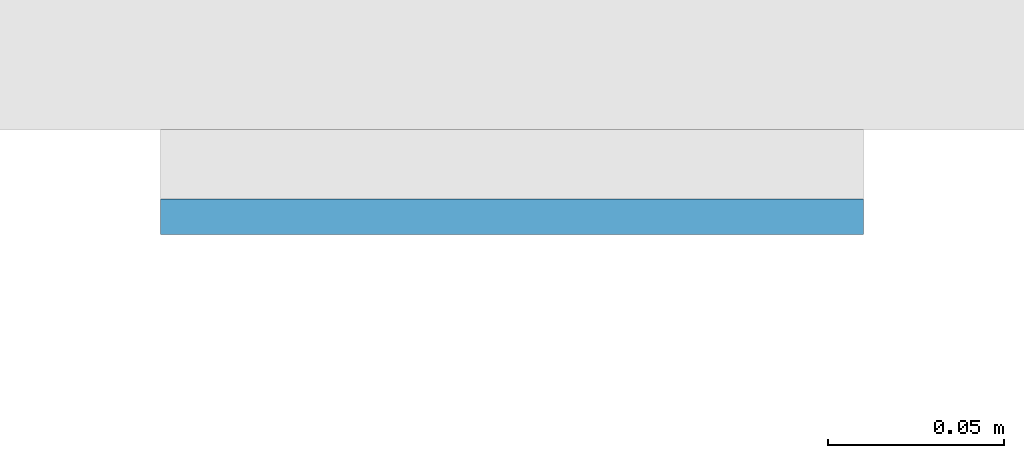
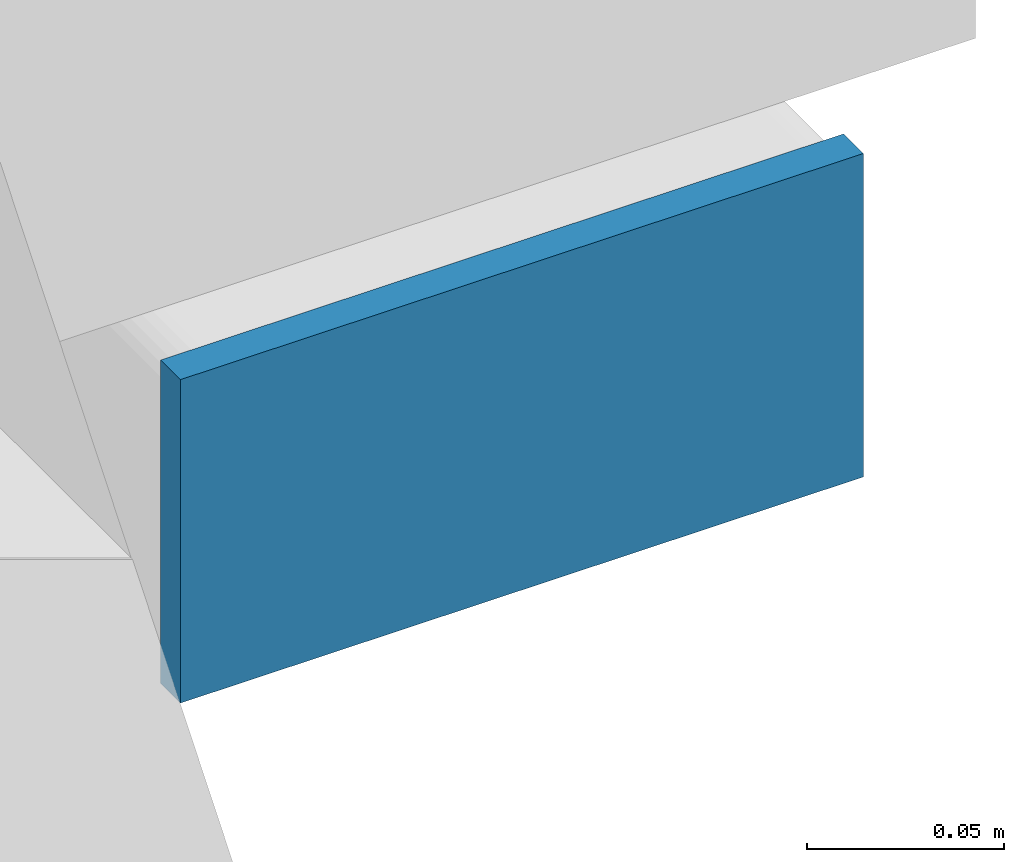
# One storey, part 10 of 20: 1 plate.
"""IFC4 building model written with IfcOpenShell, lengths in metres."""

import ifcopenshell
import ifcopenshell.guid

model = None  # the IFC model being written
_history = None  # IfcOwnerHistory: only IFC2X3 demands one
_inside = {}  # id of a spatial element -> (the spatial element, [elements in it])
_under = {}  # id of a project, library or spatial element -> (it, [spatial elements below it])
_declared = {}  # id of a project -> (the project, [libraries it declares])
_typed = {}  # id of a type object -> (the type object, [elements of that type])
_made_of = {}  # id of a material, layer set ... -> (it, [elements and type objects made of it])


def new_model(schema):
    """Start an empty IFC model of exactly this schema.

    Asked for "IFC4X3", IfcOpenShell would pick the latest addendum, in which some entities
    have other attributes; the version numbers below select the first issue.
    IFC2X3 requires an IfcOwnerHistory on every rooted entity: one is made here for all.
    """
    global model, _history
    if schema == "IFC4X3":
        model = ifcopenshell.file(schema_version=(4, 3, 0, 0))
    else:
        model = ifcopenshell.file(schema=schema)
    _inside.clear()
    _under.clear()
    _declared.clear()
    _typed.clear()
    _made_of.clear()
    _history = None
    if model.schema == "IFC2X3":
        org = make("IfcOrganization", Name="unknown")
        user = make(
            "IfcPersonAndOrganization",
            ThePerson=make("IfcPerson", FamilyName="unknown"),
            TheOrganization=org,
        )
        app = make(
            "IfcApplication",
            ApplicationDeveloper=org,
            Version="unknown",
            ApplicationFullName="unknown",
            ApplicationIdentifier="unknown",
        )
        _history = make(
            "IfcOwnerHistory",
            OwningUser=user,
            OwningApplication=app,
            ChangeAction="ADDED",
            CreationDate=0,
        )
    return model


def make(cls, **values):
    """One entity of the class cls with the attributes given. An attribute that is None is left unset."""
    return model.create_entity(
        cls, **{name: value for name, value in values.items() if value is not None}
    )


def rooted(cls, **values):
    """An entity with a GlobalId (a new one), such as an element, a storey or a relation."""
    return make(cls, GlobalId=ifcopenshell.guid.new(), OwnerHistory=_history, **values)


def si_unit(unit_type, name, prefix=None):
    """IfcSIUnit, for example si_unit("LENGTHUNIT", "METRE", prefix="MILLI")."""
    return make("IfcSIUnit", UnitType=unit_type, Prefix=prefix, Name=name)


def assignment(units):
    """IfcUnitAssignment: the units of a project."""
    return None if units is None else make("IfcUnitAssignment", Units=units)


def point(xyz):
    """IfcCartesianPoint."""
    return None if xyz is None else make("IfcCartesianPoint", Coordinates=xyz)


def direction(xyz):
    """IfcDirection."""
    return None if xyz is None else make("IfcDirection", DirectionRatios=xyz)


def frame(location, z_axis=None, x_axis=None):
    """IfcAxis2Placement3D, a coordinate frame: its origin and axes. An axis left out is left unset."""
    return make(
        "IfcAxis2Placement3D",
        Location=point(location),
        Axis=direction(z_axis),
        RefDirection=direction(x_axis),
    )


def frame_2d(location, x_axis=None):
    """IfcAxis2Placement2D, a coordinate frame in the plane: its origin and x axis."""
    return make(
        "IfcAxis2Placement2D", Location=point(location), RefDirection=direction(x_axis)
    )


def origin():
    """The frame at (0, 0, 0) with its axes left unset."""
    return frame((0.0, 0.0, 0.0))


def origin_2d():
    """The frame at (0, 0) in the plane with its x axis left unset."""
    return frame_2d((0.0, 0.0))


def place(relative_to, where):
    """IfcLocalPlacement: puts the frame where relative to a parent placement (None: the world)."""
    return make(
        "IfcLocalPlacement", PlacementRelTo=relative_to, RelativePlacement=where
    )


def context(
    kind, dimensions, precision=None, world=None, true_north=None, identifier=None
):
    """IfcGeometricRepresentationContext, for example the 3D "Model" context."""
    return make(
        "IfcGeometricRepresentationContext",
        ContextIdentifier=identifier,
        ContextType=kind,
        CoordinateSpaceDimension=dimensions,
        Precision=precision,
        WorldCoordinateSystem=world,
        TrueNorth=true_north,
    )


def subcontext(parent, identifier, kind, view, scale=None):
    """IfcGeometricRepresentationSubContext, for example "Body" below "Model"."""
    return make(
        "IfcGeometricRepresentationSubContext",
        ContextIdentifier=identifier,
        ContextType=kind,
        ParentContext=parent,
        TargetScale=scale,
        TargetView=view,
    )


def project(units=None, contexts=None):
    """IfcProject with its units and contexts."""
    return rooted(
        "IfcProject",
        Name="project",
        RepresentationContexts=contexts,
        UnitsInContext=assignment(units),
    )


def spatial(cls, under=None, at=None, **own):
    """A site, building, storey or space (cls), placed at a placement, below another one or the project."""
    s = rooted(cls, ObjectPlacement=at, **own)
    if under is not None:
        _under.setdefault(under.id(), (under, []))[1].append(s)
    return s


def profile(cls, at=None, kind="AREA", **sizes):
    """A parametric profile (cls). Its sizes go by their IFC names, for example OverallWidth=200.0."""
    return make(cls, ProfileType=kind, Position=at, **sizes)


def rectangle(**sizes):
    """IfcRectangleProfileDef."""
    return profile("IfcRectangleProfileDef", **sizes)


def extrude(swept, where, along, depth):
    """IfcExtrudedAreaSolid: the profile swept, set in the frame where, extruded along a direction by depth."""
    return make(
        "IfcExtrudedAreaSolid",
        SweptArea=swept,
        Position=where,
        ExtrudedDirection=direction(along),
        Depth=depth,
    )


def shape(context_of_items, identifier, shape_type, items):
    """IfcShapeRepresentation: the items that make up one representation, for example the "Body"."""
    return make(
        "IfcShapeRepresentation",
        ContextOfItems=context_of_items,
        RepresentationIdentifier=identifier,
        RepresentationType=shape_type,
        Items=items,
    )


def material(Name=None, Category=None):
    """IfcMaterial."""
    return make("IfcMaterial", Name=Name, Category=Category)


def layer(
    of_material, thickness, ventilated=None, Name=None, Category=None, Priority=None
):
    """IfcMaterialLayer: one layer of a wall or slab, of a material (None: an air gap)."""
    return make(
        "IfcMaterialLayer",
        Material=of_material,
        LayerThickness=thickness,
        IsVentilated=ventilated,
        Name=Name,
        Category=Category,
        Priority=Priority,
    )


def layer_set(layers, Name=None):
    """IfcMaterialLayerSet."""
    return make("IfcMaterialLayerSet", MaterialLayers=layers, LayerSetName=Name)


def made_of(thing, what):
    """Note that an element or type object is made of a material, layer set ...; save() writes the relation."""
    if what is not None:
        _made_of.setdefault(what.id(), (what, []))[1].append(thing)
    return thing


def type_object(cls, material=None, **own):
    """A type object (cls), such as IfcWallType, which elements share."""
    return made_of(rooted(cls, **own), material)


def element(
    cls,
    number,
    at=None,
    inside=None,
    cuts=None,
    type_object=None,
    material=None,
    context=None,
    identifier="Body",
    shape_type=None,
    held_by="IfcProductDefinitionShape",
    body=None,
    shapes=None,
    **own,
):
    """One element of the class cls, such as IfcWall. Its Tag is "e" and its number.

    at: its placement. inside: the storey or other place that contains it. cuts: it is an
    opening in that element (IfcRelVoidsElement). A single representation is given by context,
    identifier, shape_type and body (its items); several are given by shapes. held_by: the class
    of the entity that holds the representations. save() writes the other relations.
    """
    e = rooted(cls, Tag="e%d" % number, ObjectPlacement=at, **own)
    if body is not None:
        shapes = [shape(context, identifier, shape_type, body)]
    if shapes is not None:
        e.Representation = make(held_by, Representations=shapes)
    if inside is not None:
        _inside.setdefault(inside.id(), (inside, []))[1].append(e)
    if cuts is not None:
        rooted(
            "IfcRelVoidsElement", RelatingBuildingElement=cuts, RelatedOpeningElement=e
        )
    if type_object is not None:
        _typed.setdefault(type_object.id(), (type_object, []))[1].append(e)
    return made_of(e, material)


def aggregate(whole, parts):
    """IfcRelAggregates: a whole, such as a stair, and the parts it consists of."""
    return rooted("IfcRelAggregates", RelatingObject=whole, RelatedObjects=parts)


def save(model, path):
    """Write the relations noted so far, then the file.

    IfcRelAggregates (storeys below a building ...), IfcRelContainedInSpatialStructure (elements
    in a storey), IfcRelDefinesByType, IfcRelAssociatesMaterial and IfcRelDeclares: one each for
    every whole, place, type object, material and project.
    """
    for whole, parts in _under.values():
        aggregate(whole, parts)
    for where, things in _inside.values():
        rooted(
            "IfcRelContainedInSpatialStructure",
            RelatedElements=things,
            RelatingStructure=where,
        )
    for kind, things in _typed.values():
        rooted("IfcRelDefinesByType", RelatedObjects=things, RelatingType=kind)
    for what, things in _made_of.values():
        rooted("IfcRelAssociatesMaterial", RelatedObjects=things, RelatingMaterial=what)
    for by, libraries in _declared.values():
        rooted("IfcRelDeclares", RelatingContext=by, RelatedDefinitions=libraries)
    model.write(path)


model = new_model("IFC4")

# Units and contexts
model_context = context("Model", 3, precision=1e-05, world=origin(), true_north=direction((0.0, 1.0)))
body_context = subcontext(model_context, "Body", "Model", "MODEL_VIEW")
ifc_project = project(units=[si_unit("LENGTHUNIT", "METRE"), si_unit("AREAUNIT", "SQUARE_METRE"), si_unit("VOLUMEUNIT", "CUBIC_METRE"), si_unit("PLANEANGLEUNIT", "RADIAN"), si_unit("MASSUNIT", "GRAM", prefix="KILO")], contexts=[model_context])

# Site, building, storey
site_placement = place(None, origin())
site = spatial("IfcSite", under=ifc_project, at=site_placement, CompositionType="ELEMENT")
building_placement = place(site_placement, origin())
building = spatial("IfcBuilding", under=site, at=building_placement, Name="Cleftline Residences", CompositionType="ELEMENT")
storey_placement = place(building_placement, frame((0.0, 0.0, 153.800048828125)))
storey = spatial("IfcBuildingStorey", under=building, at=storey_placement, Name="L40", CompositionType="ELEMENT", Elevation=153.800048828125)

# Plate
ifc_material = material(Name="Steel S355, hot-dip galvanised", Category="steel")
ifc_layer = layer(ifc_material, 0.010009765625)
ifc_layer_set = layer_set([ifc_layer], Name="BAGUETTE CARRIER END PLATE 200X100X10")
plate_type = type_object("IfcPlateType", Name="BAGUETTE CARRIER END PLATE 200X100X10", PredefinedType="USERDEFINED", material=ifc_layer_set)
plate_placement = place(storey_placement, frame((66.85009765625, 3.695068359375, -0.10009765625), z_axis=(0.0, 0.0, 1.0), x_axis=(1.0, 0.0, 0.0)))
element("IfcPlate", 1, at=plate_placement, inside=storey, type_object=plate_type, Name="Baguette carrier end plate", ObjectType="BAGUETTE CARRIER END PLATE", PredefinedType="USERDEFINED", context=body_context, shape_type="SweptSolid", body=[
    extrude(rectangle(XDim=0.199951171875, YDim=0.010009765625, at=origin_2d()), origin(), (0.0, 0.0, 1.0), 0.10009765625),
])

save(model, "model.ifc")
